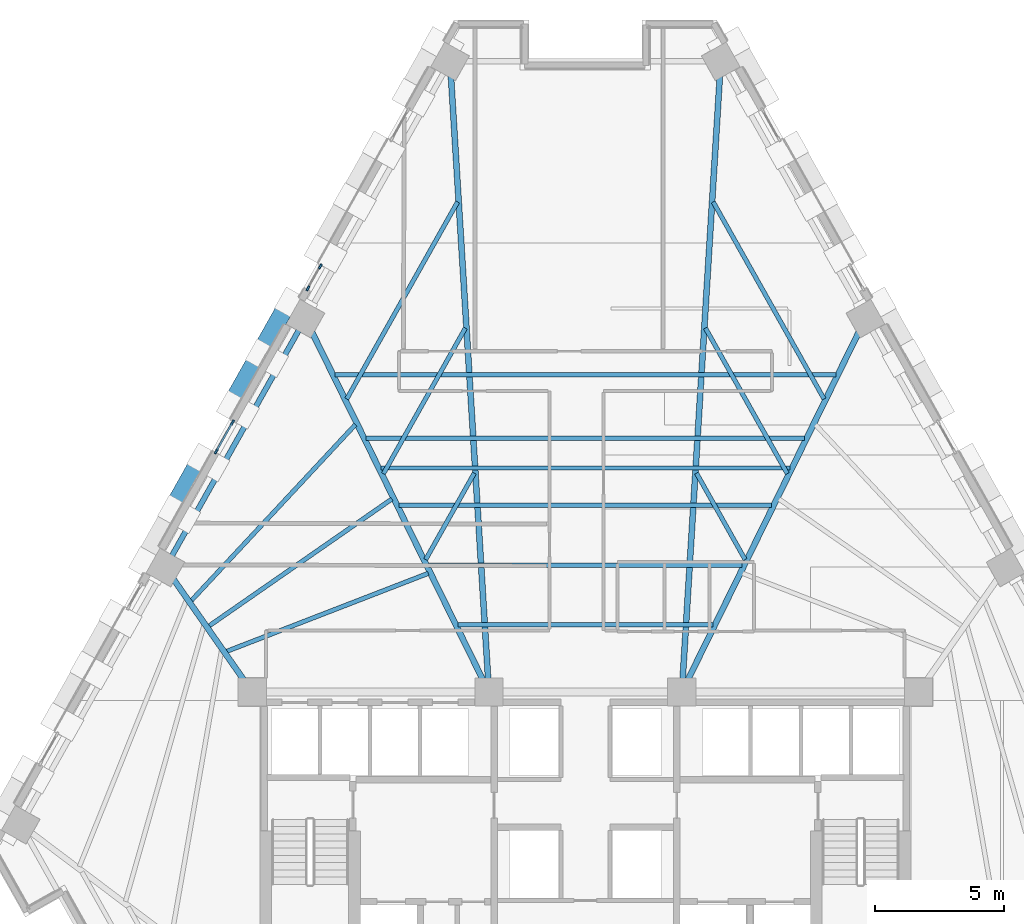
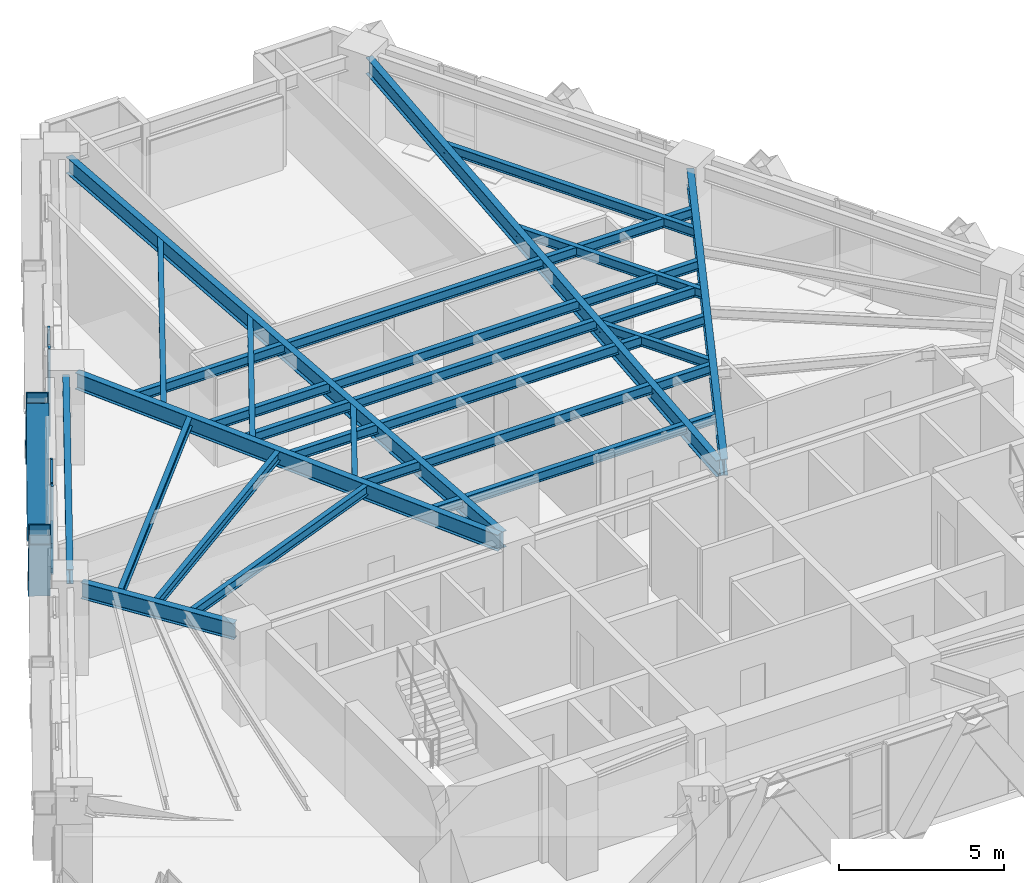
# One storey, part 3 of 13: 21 beams, 10 members, 2 elements without a shape of their own.
"""IFC4 building model written with IfcOpenShell, lengths in metres."""

from ifc_helpers import new_model, si_unit, direction, frame, origin, origin_2d, place, context, subcontext, project, spatial, rectangle, hollow_rectangle, i_section, extrude, material, material_profile, profile_set, type_object, element, aggregate, save


model = new_model("IFC4")

# Units and contexts
model_context = context("Model", 3, precision=1e-05, world=origin(), true_north=direction((0.0, 1.0)))
body_context = subcontext(model_context, "Body", "Model", "MODEL_VIEW")
ifc_project = project(units=[si_unit("LENGTHUNIT", "METRE"), si_unit("AREAUNIT", "SQUARE_METRE"), si_unit("VOLUMEUNIT", "CUBIC_METRE"), si_unit("PLANEANGLEUNIT", "RADIAN"), si_unit("MASSUNIT", "GRAM", prefix="KILO")], contexts=[model_context])

# Site, building, storey
site_placement = place(None, origin())
site = spatial("IfcSite", under=ifc_project, at=site_placement, CompositionType="ELEMENT")
building_placement = place(site_placement, origin())
building = spatial("IfcBuilding", under=site, at=building_placement, Name="Quenlor Broadcast Tower", CompositionType="ELEMENT")
storey_placement = place(building_placement, frame((0.0, 0.0, 83.60009765625)))
storey = spatial("IfcBuildingStorey", under=building, at=storey_placement, Name="L22", CompositionType="ELEMENT", Elevation=83.60009765625)

# Curtain wall, members
ifc_material_1 = material(Name="Architectural Terracotta and Low-E Glazing", Category="masonry")
curtain_wall_type = type_object("IfcCurtainWallType", Name="Unitised Terracotta Curtain Wall System Z2", PredefinedType="NOTDEFINED", material=ifc_material_1)
curtain_wall_1_placement = place(storey_placement, origin())
curtain_wall_1 = element("IfcCurtainWall", 1, at=curtain_wall_1_placement, inside=storey, type_object=curtain_wall_type, Name="L22 Curtain Wall CW2 (L22-NWC-G1)", PredefinedType="NOTDEFINED")
ifc_material_2 = material(Name="Aluminium 6063-T6", Category="aluminium")
ifc_material_profile_1 = material_profile(ifc_material_2, rectangle(XDim=0.074951171875, YDim=0.199951171875, at=origin_2d()))
ifc_profile_set_1 = profile_set([ifc_material_profile_1], Name="Aluminium 6063-T6 MULL75x200")
member_type_1 = type_object("IfcMemberType", Name="CW2 Aluminium Mullion MULL_CW2", PredefinedType="MULLION", material=ifc_profile_set_1)
member_1_placement = place(storey_placement, frame((-10.7880859375, 10.894775390625, 0.0), z_axis=(0.0, 0.0, 1.0), x_axis=(-0.871580587336, 0.490252261371, 0.0)))
member_1 = element("IfcMember", 2, at=member_1_placement, type_object=member_type_1, Name="CW2 mullion 1", PredefinedType="MULLION", context=body_context, shape_type="SweptSolid", body=[
    extrude(rectangle(XDim=0.074951171875, YDim=0.199951171875, at=origin_2d()), origin(), (0.0, 0.0, 1.0), 3.25),
])
member_2_placement = place(storey_placement, frame((-10.306396484375, 11.751220703125, 0.0), z_axis=(0.0, 0.0, 1.0), x_axis=(-0.871580587336, 0.490252261371, 0.0)))
member_2 = element("IfcMember", 3, at=member_2_placement, type_object=member_type_1, Name="CW2 mullion 2", PredefinedType="MULLION", context=body_context, shape_type="SweptSolid", body=[
    extrude(rectangle(XDim=0.074951171875, YDim=0.199951171875, at=origin_2d()), origin(), (0.0, 0.0, 1.0), 3.25),
])
aggregate(curtain_wall_1, [member_1, member_2])

curtain_wall_2_placement = place(storey_placement, origin())
curtain_wall_2 = element("IfcCurtainWall", 4, at=curtain_wall_2_placement, inside=storey, type_object=curtain_wall_type, Name="L22 Curtain Wall CW2 (L22-NW-G1)", PredefinedType="NOTDEFINED")
member_3_placement = place(storey_placement, frame((-14.3515625, 4.559814453125, 0.0), z_axis=(0.0, 0.0, 1.0), x_axis=(-0.871579452423, 0.490254279037, 0.0)))
member_3 = element("IfcMember", 5, at=member_3_placement, type_object=member_type_1, Name="CW2 mullion 1", PredefinedType="MULLION", context=body_context, shape_type="SweptSolid", body=[
    extrude(rectangle(XDim=0.074951171875, YDim=0.199951171875, at=origin_2d()), origin(), (0.0, 0.0, 1.0), 3.25),
])
member_4_placement = place(storey_placement, frame((-13.719482421875, 5.683349609375, 0.0), z_axis=(0.0, 0.0, 1.0), x_axis=(-0.871579452423, 0.490254279037, 0.0)))
member_4 = element("IfcMember", 6, at=member_4_placement, type_object=member_type_1, Name="CW2 mullion 2", PredefinedType="MULLION", context=body_context, shape_type="SweptSolid", body=[
    extrude(rectangle(XDim=0.074951171875, YDim=0.199951171875, at=origin_2d()), origin(), (0.0, 0.0, 1.0), 3.25),
])
ifc_material_3 = material(Name="Aluminium 6063-T6", Category="aluminium")
ifc_material_profile_2 = material_profile(ifc_material_3, rectangle(XDim=0.074951171875, YDim=0.1650390625, at=origin_2d()))
ifc_profile_set_2 = profile_set([ifc_material_profile_2], Name="Aluminium 6063-T6 TRAN75x165")
member_type_2 = type_object("IfcMemberType", Name="CW2 Aluminium Transom TRAN_CW2", PredefinedType="USERDEFINED", material=ifc_profile_set_2)
member_5_placement = place(storey_placement, frame((-14.333251953125, 4.592529296875, 0.037353515625), z_axis=(0.490433072585, 0.871478858788, 0.0), x_axis=(-0.871478858788, 0.490433072585, 0.0)))
member_5 = element("IfcMember", 7, at=member_5_placement, type_object=member_type_2, Name="CW2 transom 1.1", ObjectType="TRANSOM", PredefinedType="USERDEFINED", context=body_context, shape_type="SweptSolid", body=[
    extrude(rectangle(XDim=0.074951171875, YDim=0.1650390625, at=origin_2d()), origin(), (0.0, 0.0, 1.0), 1.214111328125),
])
member_6_placement = place(storey_placement, frame((-14.333251953125, 4.592529296875, 0.949951171875), z_axis=(0.490433072585, 0.871478858788, 0.0), x_axis=(-0.871478858788, 0.490433072585, 0.0)))
member_6 = element("IfcMember", 8, at=member_6_placement, type_object=member_type_2, Name="CW2 transom 1.2", ObjectType="TRANSOM", PredefinedType="USERDEFINED", context=body_context, shape_type="SweptSolid", body=[
    extrude(rectangle(XDim=0.074951171875, YDim=0.1650390625, at=origin_2d()), origin(), (0.0, 0.0, 1.0), 1.214111328125),
])
member_7_placement = place(storey_placement, frame((-14.333251953125, 4.592529296875, 3.21240234375), z_axis=(0.490433072585, 0.871478858788, 0.0), x_axis=(-0.871478858788, 0.490433072585, 0.0)))
member_7 = element("IfcMember", 9, at=member_7_placement, type_object=member_type_2, Name="CW2 transom 1.3", ObjectType="TRANSOM", PredefinedType="USERDEFINED", context=body_context, shape_type="SweptSolid", body=[
    extrude(rectangle(XDim=0.074951171875, YDim=0.1650390625, at=origin_2d()), origin(), (0.0, 0.0, 1.0), 1.214111328125),
])
aggregate(curtain_wall_2, [member_3, member_4, member_5, member_6, member_7])

# Members
ifc_material_4 = material(Name="Steel S355", Category="steel")
ifc_material_profile_3 = material_profile(ifc_material_4, hollow_rectangle(XDim=0.679931640625, YDim=0.679931640625, WallThickness=0.030029296875, at=origin_2d()))
ifc_profile_set_3 = profile_set([ifc_material_profile_3], Name="Steel S355 RHS680x680x30")
member_type_3 = type_object("IfcMemberType", Name="Perimeter Diagonal Lattice Brace Z2 Steel S355 RHS680x30", PredefinedType="BRACE", material=ifc_profile_set_3)
for number, where, z_axis, x_axis, name in (
    (10, (-13.80419921875, 6.338623046875, -0.1201171875), (0.268642373731, 0.477592925498, 0.83650240439), (-0.871578380919, 0.490256183964, 0.0), "L22 Perimeter Diamond Lattice NW-C3S"),
    (11, (-14.955322265625, 4.291748046875, -0.1201171875), (-0.268696511206, -0.477585438485, 0.836489290913), (0.871532878923, -0.490337068716, 0.0), "L22 Perimeter Diamond Lattice NW-C3B"),
):
    element("IfcMember", number, at=place(storey_placement, frame(where, z_axis=z_axis, x_axis=x_axis)), inside=storey, type_object=member_type_3, Name=name, PredefinedType="BRACE", context=body_context, shape_type="SweptSolid", body=[
        extrude(hollow_rectangle(XDim=0.679931640625, YDim=0.679931640625, WallThickness=0.030029296875, at=origin_2d()), origin(), (0.0, 0.0, 1.0), 4.18408203125),
    ])
member_8_placement = place(storey_placement, frame((-11.54248046875, 10.359619140625, -0.1201171875), z_axis=(-0.268634887212, -0.477637964099, 0.83647909276), x_axis=(0.871603971106, -0.490210686901, 0.0)))
element("IfcMember", 12, at=member_8_placement, inside=storey, type_object=member_type_3, Name="L22 Perimeter Diamond Lattice NW-C4B", PredefinedType="BRACE", context=body_context, shape_type="SweptSolid", body=[
    extrude(hollow_rectangle(XDim=0.679931640625, YDim=0.679931640625, WallThickness=0.030029296875, at=origin_2d()), origin(), (0.0, 0.0, 1.0), 4.184326171875),
])

# Beams
ifc_material_5 = material(Name="Steel S355", Category="steel")
ifc_material_profile_4 = material_profile(ifc_material_5, i_section(OverallWidth=0.208984375, OverallDepth=0.5283203125, WebThickness=0.009521484375, FlangeThickness=0.01318359375, FilletRadius=0.013916015625, at=origin_2d()))
ifc_profile_set_4 = profile_set([ifc_material_profile_4], Name="Steel S355 530UB82.0")
beam_type_1 = type_object("IfcBeamType", Name="Perimeter Spandrel Beam Z2 Steel S355 530UB82.0", PredefinedType="SPANDREL", material=ifc_profile_set_4)
beam_1_placement = place(storey_placement, frame((-11.087890625, 9.3623046875, 2.98583984375), z_axis=(-0.49026462139, -0.871573634878, 0.0), x_axis=(0.871573634878, -0.49026462139, 0.0)))
element("IfcBeam", 13, at=beam_1_placement, inside=storey, type_object=beam_type_1, Name="L22 Spandrel Beam NW2-NW3", PredefinedType="SPANDREL", context=body_context, shape_type="SweptSolid", body=[
    extrude(i_section(OverallWidth=0.208984375, OverallDepth=0.5283203125, WebThickness=0.009521484375, FlangeThickness=0.01318359375, FilletRadius=0.013916015625, at=origin_2d()), origin(), (0.0, 0.0, 1.0), 10.28271484375),
])
ifc_material_6 = material(Name="Steel S355", Category="steel")
ifc_material_profile_5 = material_profile(ifc_material_6, i_section(OverallWidth=0.172119140625, OverallDepth=0.358642578125, WebThickness=0.008056640625, FlangeThickness=0.012939453125, FilletRadius=0.011474609375, at=origin_2d()))
ifc_profile_set_5 = profile_set([ifc_material_profile_5], Name="Steel S355 360UB56.7")
beam_type_2 = type_object("IfcBeamType", Name="Tower Composite Joist Z2-Z3 Steel S355 360UB56.7", PredefinedType="JOIST", material=ifc_profile_set_5)
beam_2_placement = place(storey_placement, frame((-4.95458984375, -2.1865234375, 3.070556640625), z_axis=(1.0, 0.0, 0.0), x_axis=(0.0, 1.0, 0.0)))
element("IfcBeam", 14, at=beam_2_placement, inside=storey, type_object=beam_type_2, Name="L22 Secondary Composite Joist 1", PredefinedType="JOIST", context=body_context, shape_type="SweptSolid", body=[
    extrude(i_section(OverallWidth=0.172119140625, OverallDepth=0.358642578125, WebThickness=0.008056640625, FlangeThickness=0.012939453125, FilletRadius=0.011474609375, at=origin_2d()), origin(), (0.0, 0.0, 1.0), 9.9091796875),
])
beam_3_placement = place(storey_placement, frame((-7.9521484375, 3.911865234375, 3.070556640625), z_axis=(1.0, 0.0, 0.0), x_axis=(0.0, 1.0, 0.0)))
element("IfcBeam", 15, at=beam_3_placement, inside=storey, type_object=beam_type_2, Name="L22 Secondary Composite Joist 2", PredefinedType="JOIST", context=body_context, shape_type="SweptSolid", body=[
    extrude(i_section(OverallWidth=0.172119140625, OverallDepth=0.358642578125, WebThickness=0.008056640625, FlangeThickness=0.012939453125, FilletRadius=0.011474609375, at=origin_2d()), origin(), (0.0, 0.0, 1.0), 15.904296875),
])
beam_4_placement = place(storey_placement, frame((-6.096435546875, 0.13671875, 3.070556640625), z_axis=(1.0, 0.0, 0.0), x_axis=(0.0, 1.0, 0.0)))
element("IfcBeam", 16, at=beam_4_placement, inside=storey, type_object=beam_type_2, Name="L22 Secondary Composite Joist 3", PredefinedType="JOIST", context=body_context, shape_type="SweptSolid", body=[
    extrude(i_section(OverallWidth=0.172119140625, OverallDepth=0.358642578125, WebThickness=0.008056640625, FlangeThickness=0.012939453125, FilletRadius=0.011474609375, at=origin_2d()), origin(), (0.0, 0.0, 1.0), 12.19287109375),
])
beam_5_placement = place(storey_placement, frame((-7.238525390625, 2.4599609375, 3.070556640625), z_axis=(1.0, 0.0, 0.0), x_axis=(0.0, 1.0, 0.0)))
element("IfcBeam", 17, at=beam_5_placement, inside=storey, type_object=beam_type_2, Name="L22 Secondary Composite Joist 4", PredefinedType="JOIST", context=body_context, shape_type="SweptSolid", body=[
    extrude(i_section(OverallWidth=0.172119140625, OverallDepth=0.358642578125, WebThickness=0.008056640625, FlangeThickness=0.012939453125, FilletRadius=0.011474609375, at=origin_2d()), origin(), (0.0, 0.0, 1.0), 14.47705078125),
])
beam_6_placement = place(storey_placement, frame((-8.523193359375, 5.073486328125, 3.070556640625), z_axis=(1.0, 0.0, 0.0), x_axis=(0.0, 1.0, 0.0)))
element("IfcBeam", 18, at=beam_6_placement, inside=storey, type_object=beam_type_2, Name="L22 Secondary Composite Joist 5", PredefinedType="JOIST", context=body_context, shape_type="SweptSolid", body=[
    extrude(i_section(OverallWidth=0.172119140625, OverallDepth=0.358642578125, WebThickness=0.008056640625, FlangeThickness=0.012939453125, FilletRadius=0.011474609375, at=origin_2d()), origin(), (0.0, 0.0, 1.0), 17.04638671875),
])
beam_7_placement = place(storey_placement, frame((-9.736328125, 7.541748046875, 3.070556640625), z_axis=(1.0, 0.0, 0.0), x_axis=(0.0, 1.0, 0.0)))
element("IfcBeam", 19, at=beam_7_placement, inside=storey, type_object=beam_type_2, Name="L22 Secondary Composite Joist 6", PredefinedType="JOIST", context=body_context, shape_type="SweptSolid", body=[
    extrude(i_section(OverallWidth=0.172119140625, OverallDepth=0.358642578125, WebThickness=0.008056640625, FlangeThickness=0.012939453125, FilletRadius=0.011474609375, at=origin_2d()), origin(), (0.0, 0.0, 1.0), 19.47265625),
])
beam_8_placement = place(storey_placement, frame((-13.95703125, -3.221435546875, 3.070556640625), z_axis=(0.932542579586, 0.361060018916, 0.0), x_axis=(-0.361060018916, 0.932542579586, 0.0)))
element("IfcBeam", 20, at=beam_8_placement, inside=storey, type_object=beam_type_2, Name="L22 Secondary Composite Joist 7", PredefinedType="JOIST", context=body_context, shape_type="SweptSolid", body=[
    extrude(i_section(OverallWidth=0.172119140625, OverallDepth=0.358642578125, WebThickness=0.008056640625, FlangeThickness=0.012939453125, FilletRadius=0.011474609375, at=origin_2d()), origin(), (0.0, 0.0, 1.0), 8.416259765625),
])
beam_9_placement = place(storey_placement, frame((-14.641845703125, -2.236083984375, 3.070556640625), z_axis=(0.821385737622, 0.570373097219, 0.0), x_axis=(-0.570373097219, 0.821385737622, 0.0)))
element("IfcBeam", 21, at=beam_9_placement, inside=storey, type_object=beam_type_2, Name="L22 Secondary Composite Joist 8", PredefinedType="JOIST", context=body_context, shape_type="SweptSolid", body=[
    extrude(i_section(OverallWidth=0.172119140625, OverallDepth=0.358642578125, WebThickness=0.008056640625, FlangeThickness=0.012939453125, FilletRadius=0.011474609375, at=origin_2d()), origin(), (0.0, 0.0, 1.0), 8.662109375),
])
beam_10_placement = place(storey_placement, frame((-15.3291015625, -1.254638671875, 3.070556640625), z_axis=(0.681880655944, 0.73146344478, 0.0), x_axis=(-0.73146344478, 0.681880655944, 0.0)))
element("IfcBeam", 22, at=beam_10_placement, inside=storey, type_object=beam_type_2, Name="L22 Secondary Composite Joist 9", PredefinedType="JOIST", context=body_context, shape_type="SweptSolid", body=[
    extrude(i_section(OverallWidth=0.172119140625, OverallDepth=0.358642578125, WebThickness=0.008056640625, FlangeThickness=0.012939453125, FilletRadius=0.011474609375, at=origin_2d()), origin(), (0.0, 0.0, 1.0), 9.365234375),
])
beam_11_placement = place(storey_placement, frame((-4.318603515625, 3.7119140625, 3.070556640625), z_axis=(-0.49024921379, -0.871582301552, 0.0), x_axis=(0.871582301552, -0.49024921379, 0.0)))
element("IfcBeam", 23, at=beam_11_placement, inside=storey, type_object=beam_type_2, Name="L22 Secondary Composite Joist 25", PredefinedType="JOIST", context=body_context, shape_type="SweptSolid", body=[
    extrude(i_section(OverallWidth=0.172119140625, OverallDepth=0.358642578125, WebThickness=0.008056640625, FlangeThickness=0.012939453125, FilletRadius=0.011474609375, at=origin_2d()), origin(), (0.0, 0.0, 1.0), 3.85546875),
])
beam_12_placement = place(storey_placement, frame((-4.66650390625, 9.351318359375, 3.070556640625), z_axis=(-0.490232680913, -0.871591600789, 0.0), x_axis=(0.871591600789, -0.490232680913, 0.0)))
element("IfcBeam", 24, at=beam_12_placement, inside=storey, type_object=beam_type_2, Name="L22 Secondary Composite Joist 26", PredefinedType="JOIST", context=body_context, shape_type="SweptSolid", body=[
    extrude(i_section(OverallWidth=0.172119140625, OverallDepth=0.358642578125, WebThickness=0.008056640625, FlangeThickness=0.012939453125, FilletRadius=0.011474609375, at=origin_2d()), origin(), (0.0, 0.0, 1.0), 6.494140625),
])
beam_13_placement = place(storey_placement, frame((-4.96875, 14.255126953125, 3.070556640625), z_axis=(-0.490273109583, -0.871568860171, 0.0), x_axis=(0.871568860171, -0.490273109583, 0.0)))
element("IfcBeam", 25, at=beam_13_placement, inside=storey, type_object=beam_type_2, Name="L22 Secondary Composite Joist 27", PredefinedType="JOIST", context=body_context, shape_type="SweptSolid", body=[
    extrude(i_section(OverallWidth=0.172119140625, OverallDepth=0.358642578125, WebThickness=0.008056640625, FlangeThickness=0.012939453125, FilletRadius=0.011474609375, at=origin_2d()), origin(), (0.0, 0.0, 1.0), 8.78857421875),
])
beam_14_placement = place(storey_placement, frame((4.318603515625, 3.7119140625, 3.070556640625), z_axis=(0.49024921379, -0.871582301552, 0.0), x_axis=(0.871582301552, 0.49024921379, 0.0)))
element("IfcBeam", 26, at=beam_14_placement, inside=storey, type_object=beam_type_2, Name="L22 Secondary Composite Joist 28", PredefinedType="JOIST", context=body_context, shape_type="SweptSolid", body=[
    extrude(i_section(OverallWidth=0.172119140625, OverallDepth=0.358642578125, WebThickness=0.008056640625, FlangeThickness=0.012939453125, FilletRadius=0.011474609375, at=origin_2d()), origin(), (0.0, 0.0, 1.0), 3.85546875),
])
beam_15_placement = place(storey_placement, frame((4.66650390625, 9.351318359375, 3.070556640625), z_axis=(0.490232680913, -0.871591600789, 0.0), x_axis=(0.871591600789, 0.490232680913, 0.0)))
element("IfcBeam", 27, at=beam_15_placement, inside=storey, type_object=beam_type_2, Name="L22 Secondary Composite Joist 29", PredefinedType="JOIST", context=body_context, shape_type="SweptSolid", body=[
    extrude(i_section(OverallWidth=0.172119140625, OverallDepth=0.358642578125, WebThickness=0.008056640625, FlangeThickness=0.012939453125, FilletRadius=0.011474609375, at=origin_2d()), origin(), (0.0, 0.0, 1.0), 6.494140625),
])
beam_16_placement = place(storey_placement, frame((4.96875, 14.255126953125, 3.070556640625), z_axis=(0.490273109583, -0.871568860171, 0.0), x_axis=(0.871568860171, 0.490273109583, 0.0)))
element("IfcBeam", 28, at=beam_16_placement, inside=storey, type_object=beam_type_2, Name="L22 Secondary Composite Joist 30", PredefinedType="JOIST", context=body_context, shape_type="SweptSolid", body=[
    extrude(i_section(OverallWidth=0.172119140625, OverallDepth=0.358642578125, WebThickness=0.008056640625, FlangeThickness=0.012939453125, FilletRadius=0.011474609375, at=origin_2d()), origin(), (0.0, 0.0, 1.0), 8.78857421875),
])
ifc_material_7 = material(Name="Steel S355", Category="steel")
ifc_material_profile_6 = material_profile(ifc_material_7, i_section(OverallWidth=0.22802734375, OverallDepth=0.60205078125, WebThickness=0.010498046875, FlangeThickness=0.014892578125, FilletRadius=0.013916015625, at=origin_2d()))
ifc_profile_set_6 = profile_set([ifc_material_profile_6], Name="Steel S355 610UB101")
beam_type_3 = type_object("IfcBeamType", Name="Tower Primary Floor Beam Z2 Steel S355 610UB101", PredefinedType="BEAM", material=ifc_profile_set_6)
beam_17_placement = place(storey_placement, frame((10.7060546875, 9.351806640625, 2.948974609375), z_axis=(-0.441130328176, -0.897443053103, 0.0), x_axis=(0.897443053103, -0.441130328176, 0.0)))
element("IfcBeam", 29, at=beam_17_placement, inside=storey, type_object=beam_type_3, Name="L22 Primary Radial Beam NE3", PredefinedType="BEAM", context=body_context, shape_type="SweptSolid", body=[
    extrude(i_section(OverallWidth=0.22802734375, OverallDepth=0.60205078125, WebThickness=0.010498046875, FlangeThickness=0.014892578125, FilletRadius=0.013916015625, at=origin_2d()), origin(), (0.0, 0.0, 1.0), 15.38916015625),
])
for number, where, z_axis, x_axis, name in (
    (30, (5.237060546875, 19.309814453125, 2.948974609375), (-0.061559977358, -0.998103386022, 0.0), (0.998103386022, -0.061559977358, 0.0), "L22 Primary Radial Beam NE4"),
    (31, (-5.237060546875, 19.309814453125, 2.948974609375), (0.061559977358, -0.998103386022, 0.0), (0.998103386022, 0.061559977358, 0.0), "L22 Primary Radial Beam NW1"),
):
    element("IfcBeam", number, at=place(storey_placement, frame(where, z_axis=z_axis, x_axis=x_axis)), inside=storey, type_object=beam_type_3, Name=name, PredefinedType="BEAM", context=body_context, shape_type="SweptSolid", body=[
        extrude(i_section(OverallWidth=0.22802734375, OverallDepth=0.60205078125, WebThickness=0.010498046875, FlangeThickness=0.014892578125, FilletRadius=0.013916015625, at=origin_2d()), origin(), (0.0, 0.0, 1.0), 23.775634765625),
    ])
beam_18_placement = place(storey_placement, frame((-10.7060546875, 9.351806640625, 2.948974609375), z_axis=(0.441130328176, -0.897443053103, 0.0), x_axis=(0.897443053103, 0.441130328176, 0.0)))
element("IfcBeam", 32, at=beam_18_placement, inside=storey, type_object=beam_type_3, Name="L22 Primary Radial Beam NW2", PredefinedType="BEAM", context=body_context, shape_type="SweptSolid", body=[
    extrude(i_section(OverallWidth=0.22802734375, OverallDepth=0.60205078125, WebThickness=0.010498046875, FlangeThickness=0.014892578125, FilletRadius=0.013916015625, at=origin_2d()), origin(), (0.0, 0.0, 1.0), 15.38916015625),
])
beam_19_placement = place(storey_placement, frame((-16.095458984375, -0.293212890625, 2.948974609375), z_axis=(0.572337599985, -0.820018092266, 0.0), x_axis=(0.820018092266, 0.572337599985, 0.0)))
element("IfcBeam", 33, at=beam_19_placement, inside=storey, type_object=beam_type_3, Name="L22 Primary Radial Beam NW3", PredefinedType="BEAM", context=body_context, shape_type="SweptSolid", body=[
    extrude(i_section(OverallWidth=0.22802734375, OverallDepth=0.60205078125, WebThickness=0.010498046875, FlangeThickness=0.014892578125, FilletRadius=0.013916015625, at=origin_2d()), origin(), (0.0, 0.0, 1.0), 5.11572265625),
])

save(model, "model.ifc")
